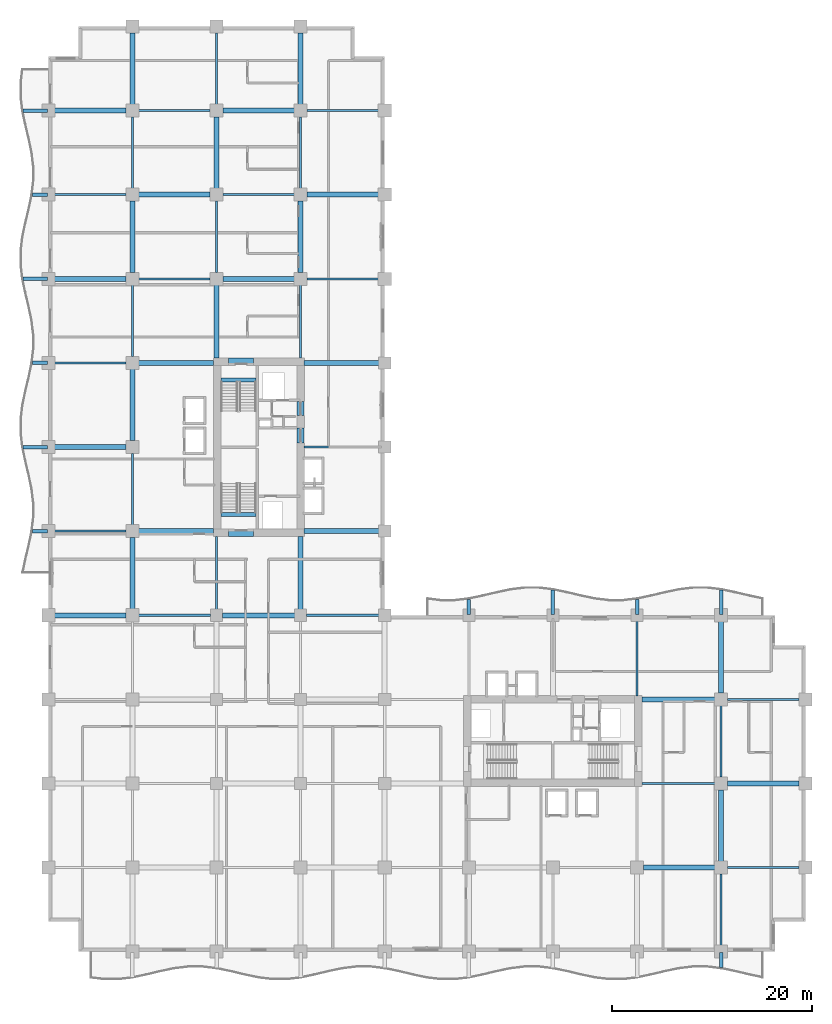
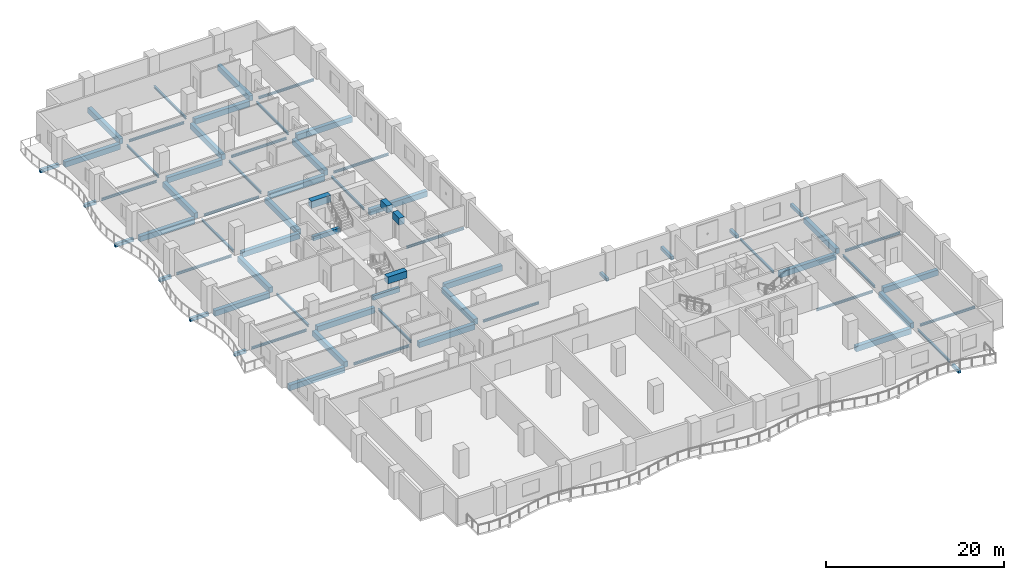
# One storey, part 2 of 18: 69 beams.
"""IFC4 building model written with IfcOpenShell, lengths in metres."""

from ifc_helpers import new_model, si_unit, direction, frame, origin, origin_2d, place, context, subcontext, project, spatial, rectangle, i_section, extrude, material, material_profile, profile_set, type_object, element, save


model = new_model("IFC4")

# Units and contexts
model_context = context("Model", 3, precision=1e-05, world=origin(), true_north=direction((0.0, 1.0)))
body_context = subcontext(model_context, "Body", "Model", "MODEL_VIEW")
ifc_project = project(units=[si_unit("LENGTHUNIT", "METRE"), si_unit("AREAUNIT", "SQUARE_METRE"), si_unit("VOLUMEUNIT", "CUBIC_METRE"), si_unit("PLANEANGLEUNIT", "RADIAN"), si_unit("MASSUNIT", "GRAM", prefix="KILO")], contexts=[model_context])

# Site, building, storey
site_placement = place(None, origin())
site = spatial("IfcSite", under=ifc_project, at=site_placement, CompositionType="ELEMENT")
building_placement = place(site_placement, origin())
building = spatial("IfcBuilding", under=site, at=building_placement, Name="Koriwani Terraces Tower", CompositionType="ELEMENT")
storey_placement = place(building_placement, frame((0.0, 0.0, 145.60009765625)))
storey = spatial("IfcBuildingStorey", under=building, at=storey_placement, Name="L35", CompositionType="ELEMENT", Elevation=145.60009765625)

# Beams
ifc_material_1 = material(Name="Concrete C40/50", Category="concrete")
ifc_material_profile_1 = material_profile(ifc_material_1, rectangle(XDim=0.35009765625, YDim=0.449951171875, at=origin_2d()), Name="Concrete C40/50", Category="LoadBearing")
ifc_profile_set_1 = profile_set([ifc_material_profile_1], Name="Concrete C40/50")
beam_type_1 = type_object("IfcBeamType", Name="BEAM_RC_BALCONY_RIB_350X450", PredefinedType="JOIST", material=ifc_profile_set_1)
for number, where, z_axis, x_axis, name in (
    (1, (67.199951171875, -1.59033203125, -0.47509765625), (0.0, 1.0, 0.0), (-1.0, 0.0, 0.0), "L35 Balcony Bracket Rib S-8"),
    (2, (-1.59033203125, 42.0, -0.47509765625), (1.0, 0.0, 0.0), (0.0, 1.0, 0.0), "L35 Balcony Bracket Rib W-1"),
):
    element("IfcBeam", number, at=place(storey_placement, frame(where, z_axis=z_axis, x_axis=x_axis)), inside=storey, type_object=beam_type_1, Name=name, PredefinedType="JOIST", context=body_context, shape_type="SweptSolid", body=[
        extrude(rectangle(XDim=0.35009765625, YDim=0.449951171875, at=origin_2d()), origin(), (0.0, 0.0, 1.0), 1.490234375),
    ])
beam_1_placement = place(storey_placement, frame((-2.509521484375, 50.39990234375, -0.47509765625), z_axis=(1.0, 0.0, 0.0), x_axis=(0.0, 1.0, 0.0)))
element("IfcBeam", 3, at=beam_1_placement, inside=storey, type_object=beam_type_1, Name="L35 Balcony Bracket Rib W-2", PredefinedType="JOIST", context=body_context, shape_type="SweptSolid", body=[
    extrude(rectangle(XDim=0.35009765625, YDim=0.449951171875, at=origin_2d()), origin(), (0.0, 0.0, 1.0), 2.409423828125),
])
beam_2_placement = place(storey_placement, frame((-1.59033203125, 58.800048828125, -0.47509765625), z_axis=(1.0, 0.0, 0.0), x_axis=(0.0, 1.0, 0.0)))
element("IfcBeam", 4, at=beam_2_placement, inside=storey, type_object=beam_type_1, Name="L35 Balcony Bracket Rib W-3", PredefinedType="JOIST", context=body_context, shape_type="SweptSolid", body=[
    extrude(rectangle(XDim=0.35009765625, YDim=0.449951171875, at=origin_2d()), origin(), (0.0, 0.0, 1.0), 1.490234375),
])
beam_3_placement = place(storey_placement, frame((-2.509521484375, 67.199951171875, -0.47509765625), z_axis=(1.0, 0.0, 0.0), x_axis=(0.0, 1.0, 0.0)))
element("IfcBeam", 5, at=beam_3_placement, inside=storey, type_object=beam_type_1, Name="L35 Balcony Bracket Rib W-4", PredefinedType="JOIST", context=body_context, shape_type="SweptSolid", body=[
    extrude(rectangle(XDim=0.35009765625, YDim=0.449951171875, at=origin_2d()), origin(), (0.0, 0.0, 1.0), 2.409423828125),
])
beam_4_placement = place(storey_placement, frame((-1.59033203125, 75.60009765625, -0.47509765625), z_axis=(1.0, 0.0, 0.0), x_axis=(0.0, 1.0, 0.0)))
element("IfcBeam", 6, at=beam_4_placement, inside=storey, type_object=beam_type_1, Name="L35 Balcony Bracket Rib W-5", PredefinedType="JOIST", context=body_context, shape_type="SweptSolid", body=[
    extrude(rectangle(XDim=0.35009765625, YDim=0.449951171875, at=origin_2d()), origin(), (0.0, 0.0, 1.0), 1.490234375),
])
beam_5_placement = place(storey_placement, frame((-2.509521484375, 84.0, -0.47509765625), z_axis=(1.0, 0.0, 0.0), x_axis=(0.0, 1.0, 0.0)))
element("IfcBeam", 7, at=beam_5_placement, inside=storey, type_object=beam_type_1, Name="L35 Balcony Bracket Rib W-6", PredefinedType="JOIST", context=body_context, shape_type="SweptSolid", body=[
    extrude(rectangle(XDim=0.35009765625, YDim=0.449951171875, at=origin_2d()), origin(), (0.0, 0.0, 1.0), 2.409423828125),
])
beam_6_placement = place(storey_placement, frame((42.0, 33.699951171875, -0.47509765625), z_axis=(0.0, 1.0, 0.0), x_axis=(-1.0, 0.0, 0.0)))
element("IfcBeam", 8, at=beam_6_placement, inside=storey, type_object=beam_type_1, Name="L35 Balcony Bracket Rib NE-1", PredefinedType="JOIST", context=body_context, shape_type="SweptSolid", body=[
    extrude(rectangle(XDim=0.35009765625, YDim=0.449951171875, at=origin_2d()), origin(), (0.0, 0.0, 1.0), 1.490478515625),
])
beam_7_placement = place(storey_placement, frame((50.39990234375, 33.699951171875, -0.47509765625), z_axis=(0.0, 1.0, 0.0), x_axis=(-1.0, 0.0, 0.0)))
element("IfcBeam", 9, at=beam_7_placement, inside=storey, type_object=beam_type_1, Name="L35 Balcony Bracket Rib NE-2", PredefinedType="JOIST", context=body_context, shape_type="SweptSolid", body=[
    extrude(rectangle(XDim=0.35009765625, YDim=0.449951171875, at=origin_2d()), origin(), (0.0, 0.0, 1.0), 2.40966796875),
])
beam_8_placement = place(storey_placement, frame((58.800048828125, 33.699951171875, -0.47509765625), z_axis=(0.0, 1.0, 0.0), x_axis=(-1.0, 0.0, 0.0)))
element("IfcBeam", 10, at=beam_8_placement, inside=storey, type_object=beam_type_1, Name="L35 Balcony Bracket Rib NE-3", PredefinedType="JOIST", context=body_context, shape_type="SweptSolid", body=[
    extrude(rectangle(XDim=0.35009765625, YDim=0.449951171875, at=origin_2d()), origin(), (0.0, 0.0, 1.0), 1.490478515625),
])
beam_9_placement = place(storey_placement, frame((67.199951171875, 33.699951171875, -0.47509765625), z_axis=(0.0, 1.0, 0.0), x_axis=(-1.0, 0.0, 0.0)))
element("IfcBeam", 11, at=beam_9_placement, inside=storey, type_object=beam_type_1, Name="L35 Balcony Bracket Rib NE-4", PredefinedType="JOIST", context=body_context, shape_type="SweptSolid", body=[
    extrude(rectangle(XDim=0.35009765625, YDim=0.449951171875, at=origin_2d()), origin(), (0.0, 0.0, 1.0), 2.40966796875),
])
ifc_material_2 = material(Name="Concrete C60/75", Category="concrete")
ifc_material_profile_2 = material_profile(ifc_material_2, rectangle(XDim=0.699951171875, YDim=0.949951171875, at=origin_2d()), Name="Concrete C60/75", Category="LoadBearing")
ifc_profile_set_2 = profile_set([ifc_material_profile_2], Name="Concrete C60/75")
beam_type_2 = type_object("IfcBeamType", Name="BEAM_RC_COUPLING_700X950", PredefinedType="LINTEL", material=ifc_profile_set_2)
beam_10_placement = place(storey_placement, frame((25.199951171875, 50.800048828125, 3.074951171875), z_axis=(0.0, 1.0, 0.0), x_axis=(-1.0, 0.0, 0.0)))
element("IfcBeam", 12, at=beam_10_placement, inside=storey, type_object=beam_type_2, Name="L35 Core Coupling Lintel Beam WE1", PredefinedType="LINTEL", context=body_context, shape_type="SweptSolid", body=[
    extrude(rectangle(XDim=0.699951171875, YDim=0.949951171875, at=origin_2d()), origin(), (0.0, 0.0, 1.0), 1.47998046875),
])
beam_11_placement = place(storey_placement, frame((25.199951171875, 53.550048828125, 3.074951171875), z_axis=(0.0, 1.0, 0.0), x_axis=(-1.0, 0.0, 0.0)))
element("IfcBeam", 13, at=beam_11_placement, inside=storey, type_object=beam_type_2, Name="L35 Core Coupling Lintel Beam WE2", PredefinedType="LINTEL", context=body_context, shape_type="SweptSolid", body=[
    extrude(rectangle(XDim=0.699951171875, YDim=0.949951171875, at=origin_2d()), origin(), (0.0, 0.0, 1.0), 1.39990234375),
])
for number, where, z_axis, x_axis, name in (
    (14, (18.0, 41.824951171875, 3.074951171875), (1.0, 0.0, 0.0), (0.0, 1.0, 0.0), "L35 Core Coupling Lintel Beam WS"),
    (15, (18.0, 58.925048828125, 3.074951171875), (1.0, 0.0, 0.0), (0.0, 1.0, 0.0), "L35 Core Coupling Lintel Beam WN"),
):
    element("IfcBeam", number, at=place(storey_placement, frame(where, z_axis=z_axis, x_axis=x_axis)), inside=storey, type_object=beam_type_2, Name=name, PredefinedType="LINTEL", context=body_context, shape_type="SweptSolid", body=[
        extrude(rectangle(XDim=0.699951171875, YDim=0.949951171875, at=origin_2d()), origin(), (0.0, 0.0, 1.0), 2.5),
    ])
ifc_material_profile_3 = material_profile(ifc_material_1, rectangle(XDim=0.39990234375, YDim=0.60009765625, at=origin_2d()), Name="Concrete C40/50", Category="LoadBearing")
ifc_profile_set_3 = profile_set([ifc_material_profile_3], Name="Concrete C40/50")
beam_type_3 = type_object("IfcBeamType", Name="BEAM_RC_GRID_400X600", PredefinedType="BEAM", material=ifc_profile_set_3)
for number, where, z_axis, x_axis, name in (
    (16, (17.25, 43.655029296875, -0.300048828125), (1.0, 0.0, 0.0), (0.0, 1.0, 0.0), "L35 Stairwell Header Trimmer Beam ST-W1"),
    (17, (17.25, 57.094970703125, -0.300048828125), (1.0, 0.0, 0.0), (0.0, 1.0, 0.0), "L35 Stairwell Header Trimmer Beam ST-W2"),
):
    element("IfcBeam", number, at=place(storey_placement, frame(where, z_axis=z_axis, x_axis=x_axis)), inside=storey, type_object=beam_type_3, Name=name, PredefinedType="BEAM", context=body_context, shape_type="SweptSolid", body=[
        extrude(rectangle(XDim=0.39990234375, YDim=0.60009765625, at=origin_2d()), origin(), (0.0, 0.0, 1.0), 3.5),
    ])
ifc_material_3 = material(Name="Concrete C50/60", Category="concrete")
ifc_material_profile_4 = material_profile(ifc_material_3, rectangle(XDim=0.5, YDim=0.75, at=origin_2d()), Name="Concrete C50/60", Category="LoadBearing")
ifc_profile_set_4 = profile_set([ifc_material_profile_4], Name="Concrete C50/60")
beam_type_4 = type_object("IfcBeamType", Name="BEAM_RC_GRID_500X750", PredefinedType="BEAM", material=ifc_profile_set_4)
beam_12_placement = place(storey_placement, frame((59.429931640625, 8.39990234375, -0.625), z_axis=(1.0, 0.0, 0.0), x_axis=(0.0, 1.0, 0.0)))
element("IfcBeam", 18, at=beam_12_placement, inside=storey, type_object=beam_type_4, Name="L35 Grid Beam B (58.8-67.2m)", PredefinedType="BEAM", context=body_context, shape_type="SweptSolid", body=[
    extrude(rectangle(XDim=0.5, YDim=0.75, at=origin_2d()), origin(), (0.0, 0.0, 1.0), 7.14013671875),
])
beam_13_placement = place(storey_placement, frame((67.830078125, 16.800048828125, -0.625), z_axis=(1.0, 0.0, 0.0), x_axis=(0.0, 1.0, 0.0)))
element("IfcBeam", 19, at=beam_13_placement, inside=storey, type_object=beam_type_4, Name="L35 Grid Beam C (67.2-75.6m)", PredefinedType="BEAM", context=body_context, shape_type="SweptSolid", body=[
    extrude(rectangle(XDim=0.5, YDim=0.75, at=origin_2d()), origin(), (0.0, 0.0, 1.0), 7.139892578125),
])
beam_14_placement = place(storey_placement, frame((59.280029296875, 25.199951171875, -0.625), z_axis=(1.0, 0.0, 0.0), x_axis=(0.0, 1.0, 0.0)))
element("IfcBeam", 20, at=beam_14_placement, inside=storey, type_object=beam_type_4, Name="L35 Grid Beam D (58.8-67.2m)", PredefinedType="BEAM", context=body_context, shape_type="SweptSolid", body=[
    extrude(rectangle(XDim=0.5, YDim=0.75, at=origin_2d()), origin(), (0.0, 0.0, 1.0), 7.2900390625),
])
beam_15_placement = place(storey_placement, frame((0.6298828125, 33.60009765625, -0.625), z_axis=(1.0, 0.0, 0.0), x_axis=(0.0, 1.0, 0.0)))
element("IfcBeam", 21, at=beam_15_placement, inside=storey, type_object=beam_type_4, Name="L35 Grid Beam E (0.0-8.4m)", PredefinedType="BEAM", context=body_context, shape_type="SweptSolid", body=[
    extrude(rectangle(XDim=0.5, YDim=0.75, at=origin_2d()), origin(), (0.0, 0.0, 1.0), 7.14013671875),
])
beam_16_placement = place(storey_placement, frame((17.3798828125, 33.60009765625, -0.625), z_axis=(1.0, 0.0, 0.0), x_axis=(0.0, 1.0, 0.0)))
element("IfcBeam", 22, at=beam_16_placement, inside=storey, type_object=beam_type_4, Name="L35 Grid Beam E (16.8-25.2m)", PredefinedType="BEAM", context=body_context, shape_type="SweptSolid", body=[
    extrude(rectangle(XDim=0.5, YDim=0.75, at=origin_2d()), origin(), (0.0, 0.0, 1.0), 7.240234375),
])
beam_17_placement = place(storey_placement, frame((9.030029296875, 42.0, -0.625), z_axis=(1.0, 0.0, 0.0), x_axis=(0.0, 1.0, 0.0)))
element("IfcBeam", 23, at=beam_17_placement, inside=storey, type_object=beam_type_4, Name="L35 Grid Beam F (8.4-16.8m)", PredefinedType="BEAM", context=body_context, shape_type="SweptSolid", body=[
    extrude(rectangle(XDim=0.5, YDim=0.75, at=origin_2d()), origin(), (0.0, 0.0, 1.0), 7.489990234375),
])
beam_18_placement = place(storey_placement, frame((25.554931640625, 42.0, -0.625), z_axis=(1.0, 0.0, 0.0), x_axis=(0.0, 1.0, 0.0)))
element("IfcBeam", 24, at=beam_18_placement, inside=storey, type_object=beam_type_4, Name="L35 Grid Beam F (25.2-33.6m)", PredefinedType="BEAM", context=body_context, shape_type="SweptSolid", body=[
    extrude(rectangle(XDim=0.5, YDim=0.75, at=origin_2d()), origin(), (0.0, 0.0, 1.0), 7.465087890625),
])
beam_19_placement = place(storey_placement, frame((0.6298828125, 50.39990234375, -0.625), z_axis=(1.0, 0.0, 0.0), x_axis=(0.0, 1.0, 0.0)))
element("IfcBeam", 25, at=beam_19_placement, inside=storey, type_object=beam_type_4, Name="L35 Grid Beam G (0.0-8.4m)", PredefinedType="BEAM", context=body_context, shape_type="SweptSolid", body=[
    extrude(rectangle(XDim=0.5, YDim=0.75, at=origin_2d()), origin(), (0.0, 0.0, 1.0), 7.14013671875),
])
beam_20_placement = place(storey_placement, frame((9.030029296875, 58.800048828125, -0.625), z_axis=(1.0, 0.0, 0.0), x_axis=(0.0, 1.0, 0.0)))
element("IfcBeam", 26, at=beam_20_placement, inside=storey, type_object=beam_type_4, Name="L35 Grid Beam H (8.4-16.8m)", PredefinedType="BEAM", context=body_context, shape_type="SweptSolid", body=[
    extrude(rectangle(XDim=0.5, YDim=0.75, at=origin_2d()), origin(), (0.0, 0.0, 1.0), 7.489990234375),
])
beam_21_placement = place(storey_placement, frame((25.554931640625, 58.800048828125, -0.625), z_axis=(1.0, 0.0, 0.0), x_axis=(0.0, 1.0, 0.0)))
element("IfcBeam", 27, at=beam_21_placement, inside=storey, type_object=beam_type_4, Name="L35 Grid Beam H (25.2-33.6m)", PredefinedType="BEAM", context=body_context, shape_type="SweptSolid", body=[
    extrude(rectangle(XDim=0.5, YDim=0.75, at=origin_2d()), origin(), (0.0, 0.0, 1.0), 7.465087890625),
])
for number, where, z_axis, x_axis, name in (
    (28, (0.6298828125, 67.199951171875, -0.625), (1.0, 0.0, 0.0), (0.0, 1.0, 0.0), "L35 Grid Beam I (0.0-8.4m)"),
    (29, (17.429931640625, 67.199951171875, -0.625), (1.0, 0.0, 0.0), (0.0, 1.0, 0.0), "L35 Grid Beam I (16.8-25.2m)"),
):
    element("IfcBeam", number, at=place(storey_placement, frame(where, z_axis=z_axis, x_axis=x_axis)), inside=storey, type_object=beam_type_4, Name=name, PredefinedType="BEAM", context=body_context, shape_type="SweptSolid", body=[
        extrude(rectangle(XDim=0.5, YDim=0.75, at=origin_2d()), origin(), (0.0, 0.0, 1.0), 7.14013671875),
    ])
for number, where, z_axis, x_axis, name in (
    (30, (9.030029296875, 75.60009765625, -0.625), (1.0, 0.0, 0.0), (0.0, 1.0, 0.0), "L35 Grid Beam J (8.4-16.8m)"),
    (31, (25.830078125, 75.60009765625, -0.625), (1.0, 0.0, 0.0), (0.0, 1.0, 0.0), "L35 Grid Beam J (25.2-33.6m)"),
):
    element("IfcBeam", number, at=place(storey_placement, frame(where, z_axis=z_axis, x_axis=x_axis)), inside=storey, type_object=beam_type_4, Name=name, PredefinedType="BEAM", context=body_context, shape_type="SweptSolid", body=[
        extrude(rectangle(XDim=0.5, YDim=0.75, at=origin_2d()), origin(), (0.0, 0.0, 1.0), 7.139892578125),
    ])
for number, where, z_axis, x_axis, name in (
    (32, (0.6298828125, 84.0, -0.625), (1.0, 0.0, 0.0), (0.0, 1.0, 0.0), "L35 Grid Beam K (0.0-8.4m)"),
    (33, (17.429931640625, 84.0, -0.625), (1.0, 0.0, 0.0), (0.0, 1.0, 0.0), "L35 Grid Beam K (16.8-25.2m)"),
    (34, (8.39990234375, 34.22998046875, -0.625), (0.0, 1.0, 0.0), (-1.0, 0.0, 0.0), "L35 Grid Beam 2 (33.6-42.0m)"),
):
    element("IfcBeam", number, at=place(storey_placement, frame(where, z_axis=z_axis, x_axis=x_axis)), inside=storey, type_object=beam_type_4, Name=name, PredefinedType="BEAM", context=body_context, shape_type="SweptSolid", body=[
        extrude(rectangle(XDim=0.5, YDim=0.75, at=origin_2d()), origin(), (0.0, 0.0, 1.0), 7.14013671875),
    ])
for number, where, z_axis, x_axis, name in (
    (35, (8.39990234375, 51.030029296875, -0.625), (0.0, 1.0, 0.0), (-1.0, 0.0, 0.0), "L35 Grid Beam 2 (50.4-58.8m)"),
    (36, (8.39990234375, 67.830078125, -0.625), (0.0, 1.0, 0.0), (-1.0, 0.0, 0.0), "L35 Grid Beam 2 (67.2-75.6m)"),
):
    element("IfcBeam", number, at=place(storey_placement, frame(where, z_axis=z_axis, x_axis=x_axis)), inside=storey, type_object=beam_type_4, Name=name, PredefinedType="BEAM", context=body_context, shape_type="SweptSolid", body=[
        extrude(rectangle(XDim=0.5, YDim=0.75, at=origin_2d()), origin(), (0.0, 0.0, 1.0), 7.139892578125),
    ])
beam_22_placement = place(storey_placement, frame((8.39990234375, 84.6298828125, -0.625), z_axis=(0.0, 1.0, 0.0), x_axis=(-1.0, 0.0, 0.0)))
element("IfcBeam", 37, at=beam_22_placement, inside=storey, type_object=beam_type_4, Name="L35 Grid Beam 2 (84.0-92.4m)", PredefinedType="BEAM", context=body_context, shape_type="SweptSolid", body=[
    extrude(rectangle(XDim=0.5, YDim=0.75, at=origin_2d()), origin(), (0.0, 0.0, 1.0), 7.14013671875),
])
beam_23_placement = place(storey_placement, frame((16.800048828125, 59.280029296875, -0.625), z_axis=(0.0, 1.0, 0.0), x_axis=(-1.0, 0.0, 0.0)))
element("IfcBeam", 38, at=beam_23_placement, inside=storey, type_object=beam_type_4, Name="L35 Grid Beam 3 (58.8-67.2m)", PredefinedType="BEAM", context=body_context, shape_type="SweptSolid", body=[
    extrude(rectangle(XDim=0.5, YDim=0.75, at=origin_2d()), origin(), (0.0, 0.0, 1.0), 7.2900390625),
])
beam_24_placement = place(storey_placement, frame((16.800048828125, 76.22998046875, -0.625), z_axis=(0.0, 1.0, 0.0), x_axis=(-1.0, 0.0, 0.0)))
element("IfcBeam", 39, at=beam_24_placement, inside=storey, type_object=beam_type_4, Name="L35 Grid Beam 3 (75.6-84.0m)", PredefinedType="BEAM", context=body_context, shape_type="SweptSolid", body=[
    extrude(rectangle(XDim=0.5, YDim=0.75, at=origin_2d()), origin(), (0.0, 0.0, 1.0), 7.14013671875),
])
beam_25_placement = place(storey_placement, frame((25.199951171875, 34.179931640625, -0.625), z_axis=(0.0, 1.0, 0.0), x_axis=(-1.0, 0.0, 0.0)))
element("IfcBeam", 40, at=beam_25_placement, inside=storey, type_object=beam_type_4, Name="L35 Grid Beam 4 (33.6-42.0m)", PredefinedType="BEAM", context=body_context, shape_type="SweptSolid", body=[
    extrude(rectangle(XDim=0.5, YDim=0.75, at=origin_2d()), origin(), (0.0, 0.0, 1.0), 7.2900390625),
])
beam_26_placement = place(storey_placement, frame((25.199951171875, 67.830078125, -0.625), z_axis=(0.0, 1.0, 0.0), x_axis=(-1.0, 0.0, 0.0)))
element("IfcBeam", 41, at=beam_26_placement, inside=storey, type_object=beam_type_4, Name="L35 Grid Beam 4 (67.2-75.6m)", PredefinedType="BEAM", context=body_context, shape_type="SweptSolid", body=[
    extrude(rectangle(XDim=0.5, YDim=0.75, at=origin_2d()), origin(), (0.0, 0.0, 1.0), 7.139892578125),
])
beam_27_placement = place(storey_placement, frame((25.199951171875, 84.6298828125, -0.625), z_axis=(0.0, 1.0, 0.0), x_axis=(-1.0, 0.0, 0.0)))
element("IfcBeam", 42, at=beam_27_placement, inside=storey, type_object=beam_type_4, Name="L35 Grid Beam 4 (84.0-92.4m)", PredefinedType="BEAM", context=body_context, shape_type="SweptSolid", body=[
    extrude(rectangle(XDim=0.5, YDim=0.75, at=origin_2d()), origin(), (0.0, 0.0, 1.0), 7.14013671875),
])
for number, where, z_axis, x_axis, name in (
    (43, (67.199951171875, 9.030029296875, -0.625), (0.0, 1.0, 0.0), (-1.0, 0.0, 0.0), "L35 Grid Beam 9 (8.4-16.8m)"),
    (44, (67.199951171875, 25.830078125, -0.625), (0.0, 1.0, 0.0), (-1.0, 0.0, 0.0), "L35 Grid Beam 9 (25.2-33.6m)"),
):
    element("IfcBeam", number, at=place(storey_placement, frame(where, z_axis=z_axis, x_axis=x_axis)), inside=storey, type_object=beam_type_4, Name=name, PredefinedType="BEAM", context=body_context, shape_type="SweptSolid", body=[
        extrude(rectangle(XDim=0.5, YDim=0.75, at=origin_2d()), origin(), (0.0, 0.0, 1.0), 7.139892578125),
    ])
ifc_material_4 = material(Name="Steel ASTM A572 Grade 50", Category="steel")
ifc_material_profile_5 = material_profile(ifc_material_4, i_section(OverallWidth=0.205078125, OverallDepth=0.31005859375, WebThickness=0.009521484375, FlangeThickness=0.016357421875, at=origin_2d()), Name="Steel ASTM A572 Grade 50", Category="LoadBearing")
ifc_profile_set_5 = profile_set([ifc_material_profile_5], Name="Steel ASTM A572 Grade 50")
beam_type_5 = type_object("IfcBeamType", Name="STEEL_BEAM_W310X74", PredefinedType="JOIST", material=ifc_profile_set_5)
beam_28_placement = place(storey_placement, frame((67.830078125, 8.39990234375, -0.405029296875), z_axis=(1.0, 0.0, 0.0), x_axis=(0.0, 1.0, 0.0)))
element("IfcBeam", 45, at=beam_28_placement, inside=storey, type_object=beam_type_5, Name="L35 Grid Beam B (67.2-75.6m)", PredefinedType="JOIST", context=body_context, shape_type="SweptSolid", body=[
    extrude(i_section(OverallWidth=0.205078125, OverallDepth=0.31005859375, WebThickness=0.009521484375, FlangeThickness=0.016357421875, at=origin_2d()), origin(), (0.0, 0.0, 1.0), 7.139892578125),
])
beam_29_placement = place(storey_placement, frame((59.280029296875, 16.800048828125, -0.405029296875), z_axis=(1.0, 0.0, 0.0), x_axis=(0.0, 1.0, 0.0)))
element("IfcBeam", 46, at=beam_29_placement, inside=storey, type_object=beam_type_5, Name="L35 Grid Beam C (58.8-67.2m)", PredefinedType="JOIST", context=body_context, shape_type="SweptSolid", body=[
    extrude(i_section(OverallWidth=0.205078125, OverallDepth=0.31005859375, WebThickness=0.009521484375, FlangeThickness=0.016357421875, at=origin_2d()), origin(), (0.0, 0.0, 1.0), 7.2900390625),
])
beam_30_placement = place(storey_placement, frame((67.830078125, 25.199951171875, -0.405029296875), z_axis=(1.0, 0.0, 0.0), x_axis=(0.0, 1.0, 0.0)))
element("IfcBeam", 47, at=beam_30_placement, inside=storey, type_object=beam_type_5, Name="L35 Grid Beam D (67.2-75.6m)", PredefinedType="JOIST", context=body_context, shape_type="SweptSolid", body=[
    extrude(i_section(OverallWidth=0.205078125, OverallDepth=0.31005859375, WebThickness=0.009521484375, FlangeThickness=0.016357421875, at=origin_2d()), origin(), (0.0, 0.0, 1.0), 7.139892578125),
])
beam_31_placement = place(storey_placement, frame((9.030029296875, 33.60009765625, -0.405029296875), z_axis=(1.0, 0.0, 0.0), x_axis=(0.0, 1.0, 0.0)))
element("IfcBeam", 48, at=beam_31_placement, inside=storey, type_object=beam_type_5, Name="L35 Grid Beam E (8.4-16.8m)", PredefinedType="JOIST", context=body_context, shape_type="SweptSolid", body=[
    extrude(i_section(OverallWidth=0.205078125, OverallDepth=0.31005859375, WebThickness=0.009521484375, FlangeThickness=0.016357421875, at=origin_2d()), origin(), (0.0, 0.0, 1.0), 7.18994140625),
])
beam_32_placement = place(storey_placement, frame((25.780029296875, 33.60009765625, -0.405029296875), z_axis=(1.0, 0.0, 0.0), x_axis=(0.0, 1.0, 0.0)))
element("IfcBeam", 49, at=beam_32_placement, inside=storey, type_object=beam_type_5, Name="L35 Grid Beam E (25.2-33.6m)", PredefinedType="JOIST", context=body_context, shape_type="SweptSolid", body=[
    extrude(i_section(OverallWidth=0.205078125, OverallDepth=0.31005859375, WebThickness=0.009521484375, FlangeThickness=0.016357421875, at=origin_2d()), origin(), (0.0, 0.0, 1.0), 7.239990234375),
])
beam_33_placement = place(storey_placement, frame((0.6298828125, 42.0, -0.405029296875), z_axis=(1.0, 0.0, 0.0), x_axis=(0.0, 1.0, 0.0)))
element("IfcBeam", 50, at=beam_33_placement, inside=storey, type_object=beam_type_5, Name="L35 Grid Beam F (0.0-8.4m)", PredefinedType="JOIST", context=body_context, shape_type="SweptSolid", body=[
    extrude(i_section(OverallWidth=0.205078125, OverallDepth=0.31005859375, WebThickness=0.009521484375, FlangeThickness=0.016357421875, at=origin_2d()), origin(), (0.0, 0.0, 1.0), 7.14013671875),
])
beam_34_placement = place(storey_placement, frame((25.554931640625, 50.39990234375, -0.405029296875), z_axis=(1.0, 0.0, 0.0), x_axis=(0.0, 1.0, 0.0)))
element("IfcBeam", 51, at=beam_34_placement, inside=storey, type_object=beam_type_5, Name="L35 Grid Beam G (25.2-33.6m)", PredefinedType="JOIST", context=body_context, shape_type="SweptSolid", body=[
    extrude(i_section(OverallWidth=0.205078125, OverallDepth=0.31005859375, WebThickness=0.009521484375, FlangeThickness=0.016357421875, at=origin_2d()), origin(), (0.0, 0.0, 1.0), 7.465087890625),
])
beam_35_placement = place(storey_placement, frame((0.6298828125, 58.800048828125, -0.405029296875), z_axis=(1.0, 0.0, 0.0), x_axis=(0.0, 1.0, 0.0)))
element("IfcBeam", 52, at=beam_35_placement, inside=storey, type_object=beam_type_5, Name="L35 Grid Beam H (0.0-8.4m)", PredefinedType="JOIST", context=body_context, shape_type="SweptSolid", body=[
    extrude(i_section(OverallWidth=0.205078125, OverallDepth=0.31005859375, WebThickness=0.009521484375, FlangeThickness=0.016357421875, at=origin_2d()), origin(), (0.0, 0.0, 1.0), 7.14013671875),
])
for number, where, z_axis, x_axis, name in (
    (53, (9.030029296875, 67.199951171875, -0.405029296875), (1.0, 0.0, 0.0), (0.0, 1.0, 0.0), "L35 Grid Beam I (8.4-16.8m)"),
    (54, (25.830078125, 67.199951171875, -0.405029296875), (1.0, 0.0, 0.0), (0.0, 1.0, 0.0), "L35 Grid Beam I (25.2-33.6m)"),
):
    element("IfcBeam", number, at=place(storey_placement, frame(where, z_axis=z_axis, x_axis=x_axis)), inside=storey, type_object=beam_type_5, Name=name, PredefinedType="JOIST", context=body_context, shape_type="SweptSolid", body=[
        extrude(i_section(OverallWidth=0.205078125, OverallDepth=0.31005859375, WebThickness=0.009521484375, FlangeThickness=0.016357421875, at=origin_2d()), origin(), (0.0, 0.0, 1.0), 7.139892578125),
    ])
for number, where, z_axis, x_axis, name in (
    (55, (0.6298828125, 75.60009765625, -0.405029296875), (1.0, 0.0, 0.0), (0.0, 1.0, 0.0), "L35 Grid Beam J (0.0-8.4m)"),
    (56, (17.429931640625, 75.60009765625, -0.405029296875), (1.0, 0.0, 0.0), (0.0, 1.0, 0.0), "L35 Grid Beam J (16.8-25.2m)"),
):
    element("IfcBeam", number, at=place(storey_placement, frame(where, z_axis=z_axis, x_axis=x_axis)), inside=storey, type_object=beam_type_5, Name=name, PredefinedType="JOIST", context=body_context, shape_type="SweptSolid", body=[
        extrude(i_section(OverallWidth=0.205078125, OverallDepth=0.31005859375, WebThickness=0.009521484375, FlangeThickness=0.016357421875, at=origin_2d()), origin(), (0.0, 0.0, 1.0), 7.14013671875),
    ])
for number, where, z_axis, x_axis, name in (
    (57, (9.030029296875, 84.0, -0.405029296875), (1.0, 0.0, 0.0), (0.0, 1.0, 0.0), "L35 Grid Beam K (8.4-16.8m)"),
    (58, (25.830078125, 84.0, -0.405029296875), (1.0, 0.0, 0.0), (0.0, 1.0, 0.0), "L35 Grid Beam K (25.2-33.6m)"),
):
    element("IfcBeam", number, at=place(storey_placement, frame(where, z_axis=z_axis, x_axis=x_axis)), inside=storey, type_object=beam_type_5, Name=name, PredefinedType="JOIST", context=body_context, shape_type="SweptSolid", body=[
        extrude(i_section(OverallWidth=0.205078125, OverallDepth=0.31005859375, WebThickness=0.009521484375, FlangeThickness=0.016357421875, at=origin_2d()), origin(), (0.0, 0.0, 1.0), 7.139892578125),
    ])
for number, where, z_axis, x_axis, name in (
    (59, (8.39990234375, 42.6298828125, -0.405029296875), (0.0, 1.0, 0.0), (-1.0, 0.0, 0.0), "L35 Grid Beam 2 (42.0-50.4m)"),
    (60, (8.39990234375, 59.429931640625, -0.405029296875), (0.0, 1.0, 0.0), (-1.0, 0.0, 0.0), "L35 Grid Beam 2 (58.8-67.2m)"),
    (61, (8.39990234375, 76.22998046875, -0.405029296875), (0.0, 1.0, 0.0), (-1.0, 0.0, 0.0), "L35 Grid Beam 2 (75.6-84.0m)"),
):
    element("IfcBeam", number, at=place(storey_placement, frame(where, z_axis=z_axis, x_axis=x_axis)), inside=storey, type_object=beam_type_5, Name=name, PredefinedType="JOIST", context=body_context, shape_type="SweptSolid", body=[
        extrude(i_section(OverallWidth=0.205078125, OverallDepth=0.31005859375, WebThickness=0.009521484375, FlangeThickness=0.016357421875, at=origin_2d()), origin(), (0.0, 0.0, 1.0), 7.14013671875),
    ])
beam_36_placement = place(storey_placement, frame((16.800048828125, 34.179931640625, -0.405029296875), z_axis=(0.0, 1.0, 0.0), x_axis=(-1.0, 0.0, 0.0)))
element("IfcBeam", 62, at=beam_36_placement, inside=storey, type_object=beam_type_5, Name="L35 Grid Beam 3 (33.6-42.0m)", PredefinedType="JOIST", context=body_context, shape_type="SweptSolid", body=[
    extrude(i_section(OverallWidth=0.205078125, OverallDepth=0.31005859375, WebThickness=0.009521484375, FlangeThickness=0.016357421875, at=origin_2d()), origin(), (0.0, 0.0, 1.0), 7.2900390625),
])
beam_37_placement = place(storey_placement, frame((16.800048828125, 67.830078125, -0.405029296875), z_axis=(0.0, 1.0, 0.0), x_axis=(-1.0, 0.0, 0.0)))
element("IfcBeam", 63, at=beam_37_placement, inside=storey, type_object=beam_type_5, Name="L35 Grid Beam 3 (67.2-75.6m)", PredefinedType="JOIST", context=body_context, shape_type="SweptSolid", body=[
    extrude(i_section(OverallWidth=0.205078125, OverallDepth=0.31005859375, WebThickness=0.009521484375, FlangeThickness=0.016357421875, at=origin_2d()), origin(), (0.0, 0.0, 1.0), 7.139892578125),
])
beam_38_placement = place(storey_placement, frame((16.800048828125, 84.6298828125, -0.405029296875), z_axis=(0.0, 1.0, 0.0), x_axis=(-1.0, 0.0, 0.0)))
element("IfcBeam", 64, at=beam_38_placement, inside=storey, type_object=beam_type_5, Name="L35 Grid Beam 3 (84.0-92.4m)", PredefinedType="JOIST", context=body_context, shape_type="SweptSolid", body=[
    extrude(i_section(OverallWidth=0.205078125, OverallDepth=0.31005859375, WebThickness=0.009521484375, FlangeThickness=0.016357421875, at=origin_2d()), origin(), (0.0, 0.0, 1.0), 7.14013671875),
])
beam_39_placement = place(storey_placement, frame((25.199951171875, 59.280029296875, -0.405029296875), z_axis=(0.0, 1.0, 0.0), x_axis=(-1.0, 0.0, 0.0)))
element("IfcBeam", 65, at=beam_39_placement, inside=storey, type_object=beam_type_5, Name="L35 Grid Beam 4 (58.8-67.2m)", PredefinedType="JOIST", context=body_context, shape_type="SweptSolid", body=[
    extrude(i_section(OverallWidth=0.205078125, OverallDepth=0.31005859375, WebThickness=0.009521484375, FlangeThickness=0.016357421875, at=origin_2d()), origin(), (0.0, 0.0, 1.0), 7.2900390625),
])
beam_40_placement = place(storey_placement, frame((25.199951171875, 76.22998046875, -0.405029296875), z_axis=(0.0, 1.0, 0.0), x_axis=(-1.0, 0.0, 0.0)))
element("IfcBeam", 66, at=beam_40_placement, inside=storey, type_object=beam_type_5, Name="L35 Grid Beam 4 (75.6-84.0m)", PredefinedType="JOIST", context=body_context, shape_type="SweptSolid", body=[
    extrude(i_section(OverallWidth=0.205078125, OverallDepth=0.31005859375, WebThickness=0.009521484375, FlangeThickness=0.016357421875, at=origin_2d()), origin(), (0.0, 0.0, 1.0), 7.14013671875),
])
beam_41_placement = place(storey_placement, frame((58.800048828125, 25.554931640625, -0.405029296875), z_axis=(0.0, 1.0, 0.0), x_axis=(-1.0, 0.0, 0.0)))
element("IfcBeam", 67, at=beam_41_placement, inside=storey, type_object=beam_type_5, Name="L35 Grid Beam 8 (25.2-33.6m)", PredefinedType="JOIST", context=body_context, shape_type="SweptSolid", body=[
    extrude(i_section(OverallWidth=0.205078125, OverallDepth=0.31005859375, WebThickness=0.009521484375, FlangeThickness=0.016357421875, at=origin_2d()), origin(), (0.0, 0.0, 1.0), 7.465087890625),
])
for number, where, z_axis, x_axis, name in (
    (68, (67.199951171875, 0.6298828125, -0.405029296875), (0.0, 1.0, 0.0), (-1.0, 0.0, 0.0), "L35 Grid Beam 9 (0.0-8.4m)"),
    (69, (67.199951171875, 17.429931640625, -0.405029296875), (0.0, 1.0, 0.0), (-1.0, 0.0, 0.0), "L35 Grid Beam 9 (16.8-25.2m)"),
):
    element("IfcBeam", number, at=place(storey_placement, frame(where, z_axis=z_axis, x_axis=x_axis)), inside=storey, type_object=beam_type_5, Name=name, PredefinedType="JOIST", context=body_context, shape_type="SweptSolid", body=[
        extrude(i_section(OverallWidth=0.205078125, OverallDepth=0.31005859375, WebThickness=0.009521484375, FlangeThickness=0.016357421875, at=origin_2d()), origin(), (0.0, 0.0, 1.0), 7.14013671875),
    ])

save(model, "model.ifc")
